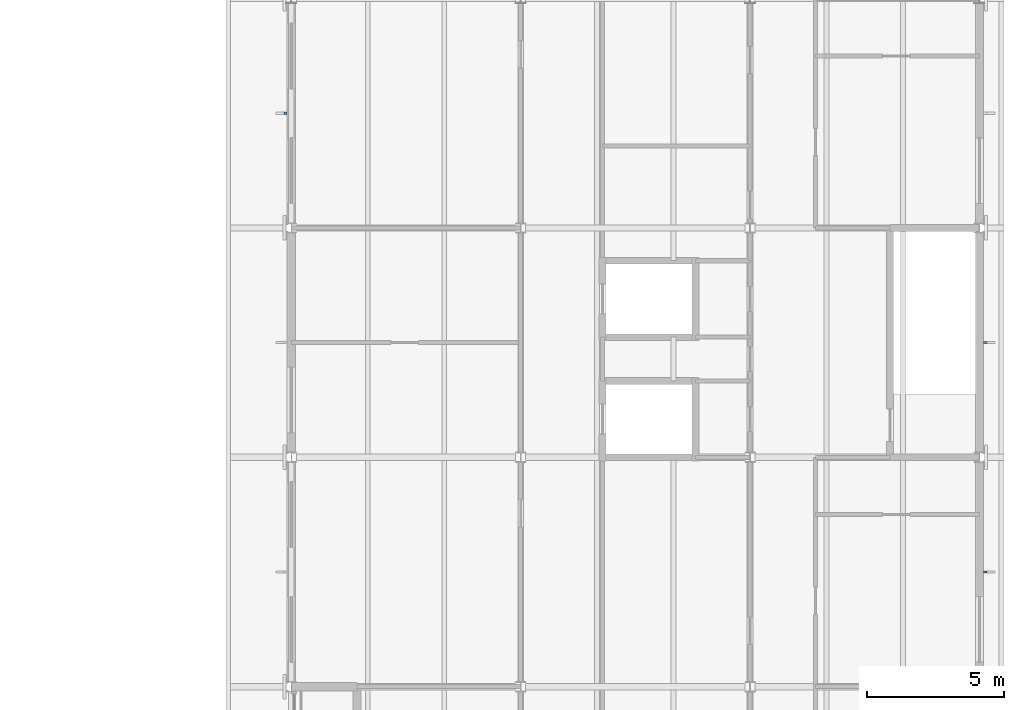
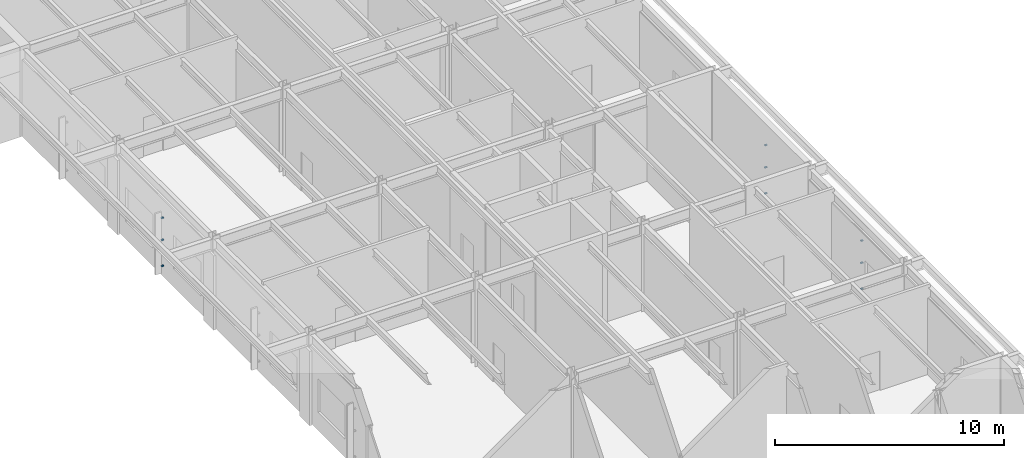
# One storey, part 89 of 116: 9 discrete accessories.
"""IFC4 building model written with IfcOpenShell, lengths in metres."""

from ifc_helpers import new_model, si_unit, direction, frame, origin, origin_2d, place, context, subcontext, project, spatial, rectangle, extrude, material, type_object, element, save


model = new_model("IFC4")

# Units and contexts
model_context = context("Model", 3, precision=1e-05, world=origin(), true_north=direction((0.0, 1.0)))
body_context = subcontext(model_context, "Body", "Model", "MODEL_VIEW")
ifc_project = project(units=[si_unit("LENGTHUNIT", "METRE"), si_unit("AREAUNIT", "SQUARE_METRE"), si_unit("VOLUMEUNIT", "CUBIC_METRE"), si_unit("PLANEANGLEUNIT", "RADIAN"), si_unit("MASSUNIT", "GRAM", prefix="KILO")], contexts=[model_context])

# Site, building, storey
site_placement = place(None, origin())
site = spatial("IfcSite", under=ifc_project, at=site_placement, CompositionType="ELEMENT")
building_placement = place(site_placement, origin())
building = spatial("IfcBuilding", under=site, at=building_placement, Name="Ljudholm Concert House", CompositionType="ELEMENT")
storey_placement = place(building_placement, frame((0.0, 0.0, 10.199951171875)))
storey = spatial("IfcBuildingStorey", under=building, at=storey_placement, Name="L02", CompositionType="ELEMENT", Elevation=10.199951171875)

# Discrete accessories
ifc_material = material(Name="Stainless steel bracket", Category="steel")
discrete_accessory_type = type_object("IfcDiscreteAccessoryType", Name="BRACKET 120", PredefinedType="BRACKET", material=ifc_material)
for number, where, z_axis, x_axis, name in (
    (1, (121.81005859375, 25.0, 0.570068359375), (0.0, 0.0, 1.0), (1.0, 0.0, 0.0), "Fin bracket"),
    (2, (121.81005859375, 25.0, 1.955078125), (0.0, 0.0, 1.0), (1.0, 0.0, 0.0), "Fin bracket"),
    (3, (121.81005859375, 25.0, 3.14013671875), (0.0, 0.0, 1.0), (1.0, 0.0, 0.0), "Fin bracket"),
    (4, (121.81005859375, 33.39990234375, 0.570068359375), (0.0, 0.0, 1.0), (1.0, 0.0, 0.0), "Fin bracket"),
    (5, (121.81005859375, 33.39990234375, 1.955078125), (0.0, 0.0, 1.0), (1.0, 0.0, 0.0), "Fin bracket"),
    (6, (121.81005859375, 33.39990234375, 3.14013671875), (0.0, 0.0, 1.0), (1.0, 0.0, 0.0), "Fin bracket"),
    (7, (96.18994140625, 41.800048828125, 0.570068359375), (0.0, 0.0, 1.0), (-1.0, 0.0, 0.0), "Fin bracket"),
    (8, (96.18994140625, 41.800048828125, 1.955078125), (0.0, 0.0, 1.0), (-1.0, 0.0, 0.0), "Fin bracket"),
    (9, (96.18994140625, 41.800048828125, 3.14013671875), (0.0, 0.0, 1.0), (-1.0, 0.0, 0.0), "Fin bracket"),
):
    element("IfcDiscreteAccessory", number, at=place(storey_placement, frame(where, z_axis=z_axis, x_axis=x_axis)), inside=storey, type_object=discrete_accessory_type, Name=name, PredefinedType="BRACKET", context=body_context, shape_type="SweptSolid", body=[
        extrude(rectangle(XDim=0.1201171875, YDim=0.080078125, at=origin_2d()), origin(), (0.0, 0.0, 1.0), 0.06005859375),
    ])

save(model, "model.ifc")
